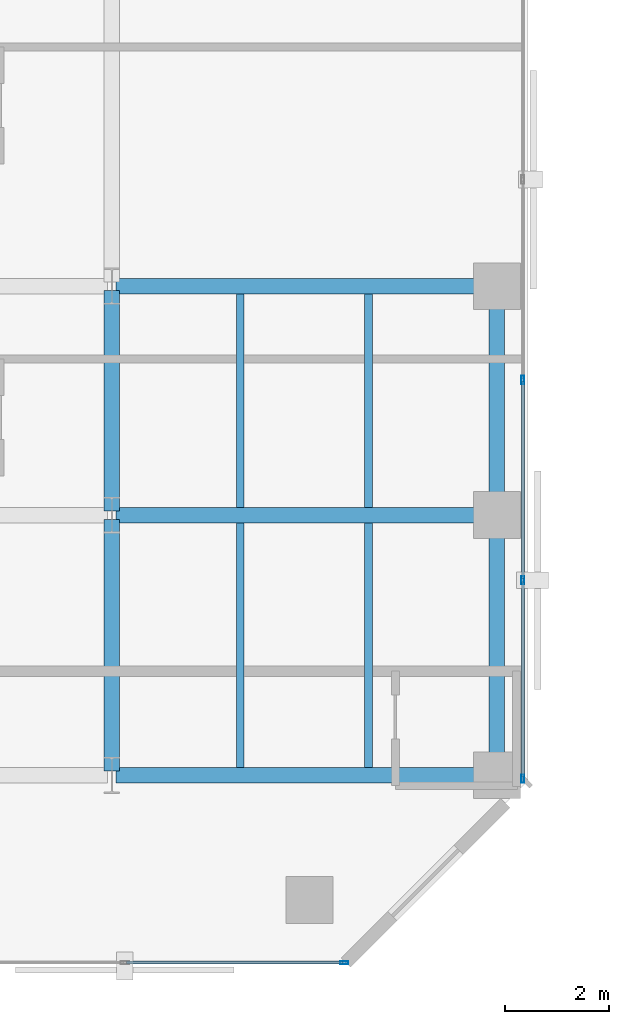
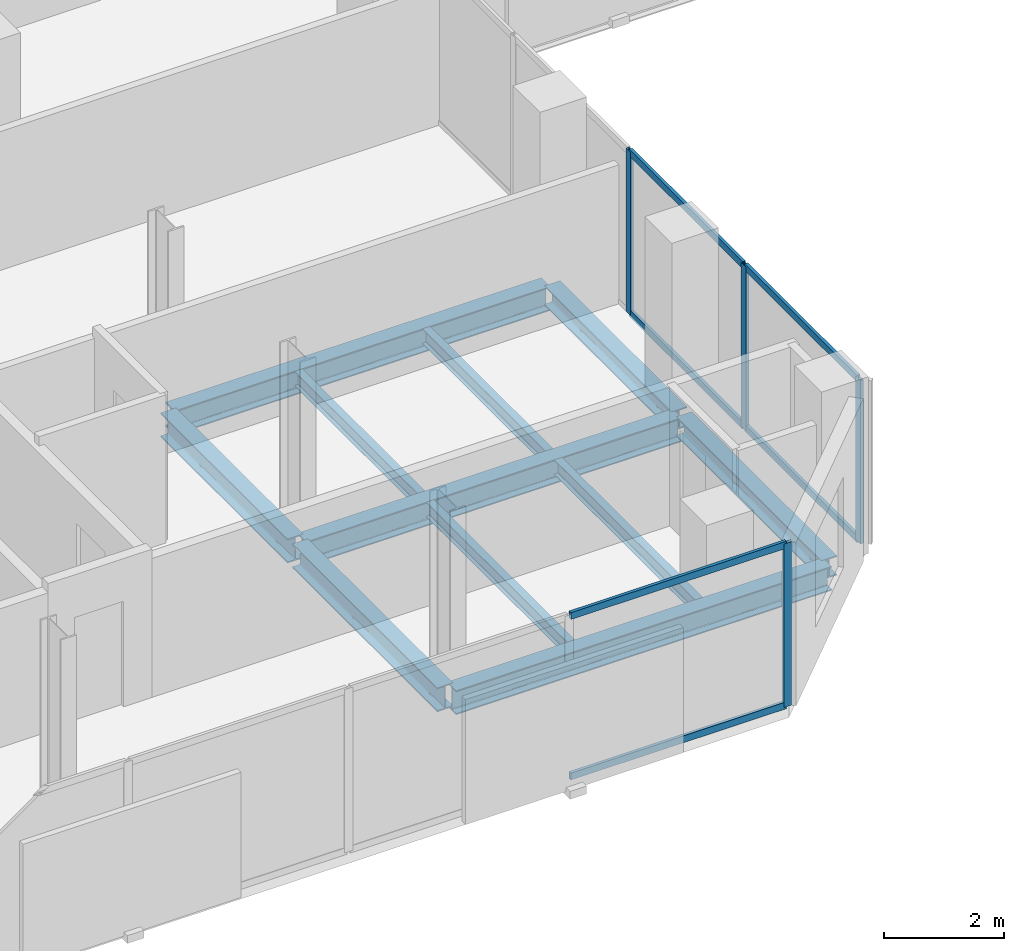
# One storey, part 7 of 34: 11 beams, 10 members, 2 elements without a shape of their own.
"""IFC4 building model written with IfcOpenShell, lengths in metres."""

from ifc_helpers import new_model, si_unit, direction, frame, origin, origin_2d, place, context, subcontext, project, spatial, hollow_rectangle, i_section, extrude, material, layer, layer_set, material_profile, profile_set, type_object, element, aggregate, save


model = new_model("IFC4")

# Units and contexts
model_context = context("Model", 3, precision=1e-05, world=origin(), true_north=direction((0.0, 1.0)))
body_context = subcontext(model_context, "Body", "Model", "MODEL_VIEW")
ifc_project = project(units=[si_unit("LENGTHUNIT", "METRE"), si_unit("AREAUNIT", "SQUARE_METRE"), si_unit("VOLUMEUNIT", "CUBIC_METRE"), si_unit("PLANEANGLEUNIT", "RADIAN"), si_unit("MASSUNIT", "GRAM", prefix="KILO")], contexts=[model_context])

# Site, building, storey
site_placement = place(None, origin())
site = spatial("IfcSite", under=ifc_project, at=site_placement, CompositionType="ELEMENT")
building_placement = place(site_placement, origin())
building = spatial("IfcBuilding", under=site, at=building_placement, Name="Catumbela Crestline Tower", CompositionType="ELEMENT")
storey_placement = place(building_placement, frame((0.0, 0.0, 93.6)))
storey = spatial("IfcBuildingStorey", under=building, at=storey_placement, Name="L23", CompositionType="ELEMENT", Elevation=93.6)

# Beams
ifc_material_1 = material(Name="Structural steel S355J2", Category="steel")
ifc_material_profile_1 = material_profile(ifc_material_1, i_section(OverallWidth=0.3, OverallDepth=0.49, WebThickness=0.012, FlangeThickness=0.023, FilletRadius=0.027, at=origin_2d()), Name="HEA 500")
ifc_profile_set_1 = profile_set([ifc_material_profile_1], Name="Structural steel S355J2")
beam_type_1 = type_object("IfcBeamType", Name="BG-HEA500", PredefinedType="BEAM", material=ifc_profile_set_1)
for number, where, z_axis, x_axis, name in (
    (1, (16.08, 8.6, -0.505), (1.0, 0.0, 0.0), (0.0, 1.0, 0.0), "L23 Beam BM-L23-WEW45"),
    (2, (16.08, 13.6, -0.505), (1.0, 0.0, 0.0), (0.0, 1.0, 0.0), "L23 Beam BM-L23-WEW48"),
    (3, (16.08, 18.0, -0.505), (1.0, 0.0, 0.0), (0.0, 1.0, 0.0), "L23 Beam BM-L23-WEW51"),
):
    element("IfcBeam", number, at=place(storey_placement, frame(where, z_axis=z_axis, x_axis=x_axis)), inside=storey, type_object=beam_type_1, Name=name, PredefinedType="BEAM", context=body_context, shape_type="SweptSolid", body=[
        extrude(i_section(OverallWidth=0.3, OverallDepth=0.49, WebThickness=0.012, FlangeThickness=0.023, FilletRadius=0.027, at=origin_2d()), origin(), (0.0, 0.0, 1.0), 7.24),
    ])
beam_1_placement = place(storey_placement, frame((16.0, 8.68, -0.505), z_axis=(0.0, 1.0, 0.0), x_axis=(-1.0, 0.0, 0.0)))
element("IfcBeam", 4, at=beam_1_placement, inside=storey, type_object=beam_type_1, Name="L23 Beam BM-L23-WNS58", PredefinedType="BEAM", context=body_context, shape_type="SweptSolid", body=[
    extrude(i_section(OverallWidth=0.3, OverallDepth=0.49, WebThickness=0.012, FlangeThickness=0.023, FilletRadius=0.027, at=origin_2d()), origin(), (0.0, 0.0, 1.0), 4.84),
])
beam_2_placement = place(storey_placement, frame((16.0, 13.68, -0.505), z_axis=(0.0, 1.0, 0.0), x_axis=(-1.0, 0.0, 0.0)))
element("IfcBeam", 5, at=beam_2_placement, inside=storey, type_object=beam_type_1, Name="L23 Beam BM-L23-WNS59", PredefinedType="BEAM", context=body_context, shape_type="SweptSolid", body=[
    extrude(i_section(OverallWidth=0.3, OverallDepth=0.49, WebThickness=0.012, FlangeThickness=0.023, FilletRadius=0.027, at=origin_2d()), origin(), (0.0, 0.0, 1.0), 4.24),
])
ifc_material_profile_2 = material_profile(ifc_material_1, i_section(OverallWidth=0.15, OverallDepth=0.3, WebThickness=0.0071, FlangeThickness=0.0107, FilletRadius=0.015, at=origin_2d()), Name="IPE 300")
ifc_profile_set_2 = profile_set([ifc_material_profile_2], Name="Structural steel S355J2")
beam_type_2 = type_object("IfcBeamType", Name="BJ-IPE300", PredefinedType="JOIST", material=ifc_profile_set_2)
for number, where, z_axis, x_axis, name in (
    (6, (18.467, 8.747, -0.41), (0.0, 1.0, 0.0), (-1.0, 0.0, 0.0), "L23 Joist JS-L23-WG67"),
    (7, (20.933, 8.747, -0.41), (0.0, 1.0, 0.0), (-1.0, 0.0, 0.0), "L23 Joist JS-L23-WG68"),
):
    element("IfcBeam", number, at=place(storey_placement, frame(where, z_axis=z_axis, x_axis=x_axis)), inside=storey, type_object=beam_type_2, Name=name, PredefinedType="JOIST", context=body_context, shape_type="SweptSolid", body=[
        extrude(i_section(OverallWidth=0.15, OverallDepth=0.3, WebThickness=0.0071, FlangeThickness=0.0107, FilletRadius=0.015, at=origin_2d()), origin(), (0.0, 0.0, 1.0), 4.706),
    ])
for number, where, z_axis, x_axis, name in (
    (8, (18.467, 13.747, -0.41), (0.0, 1.0, 0.0), (-1.0, 0.0, 0.0), "L23 Joist JS-L23-WG73"),
    (9, (20.933, 13.747, -0.41), (0.0, 1.0, 0.0), (-1.0, 0.0, 0.0), "L23 Joist JS-L23-WG74"),
):
    element("IfcBeam", number, at=place(storey_placement, frame(where, z_axis=z_axis, x_axis=x_axis)), inside=storey, type_object=beam_type_2, Name=name, PredefinedType="JOIST", context=body_context, shape_type="SweptSolid", body=[
        extrude(i_section(OverallWidth=0.15, OverallDepth=0.3, WebThickness=0.0071, FlangeThickness=0.0107, FilletRadius=0.015, at=origin_2d()), origin(), (0.0, 0.0, 1.0), 4.106),
    ])

# Curtain wall, member
ifc_material_2 = material(Name="Aluminium alloy AW-6060-T66", Category="aluminium")
ifc_layer = layer(ifc_material_2, 0.18, Name="Aluminium alloy AW-6060-T66")
ifc_layer_set = layer_set([ifc_layer], Name="Aluminium alloy AW-6060-T66")
curtain_wall_type = type_object("IfcCurtainWallType", Name="CWU-Z2", PredefinedType="USERDEFINED", material=ifc_layer_set)
curtain_wall_1_placement = place(storey_placement, origin())
curtain_wall_1 = element("IfcCurtainWall", 10, at=curtain_wall_1_placement, inside=storey, type_object=curtain_wall_type, Name="L23 Unitised Curtain Wall CW-L23-E0S1", ObjectType="UNITISED", PredefinedType="USERDEFINED")
ifc_material_profile_3 = material_profile(ifc_material_2, hollow_rectangle(XDim=0.06, YDim=0.16, WallThickness=0.004, at=origin_2d()), Name="ALU 160x60x4")
ifc_profile_set_3 = profile_set([ifc_material_profile_3], Name="Aluminium alloy AW-6060-T66")
member_type_1 = type_object("IfcMemberType", Name="MUL-160X60", PredefinedType="MULLION", material=ifc_profile_set_3)
member_1_placement = place(storey_placement, frame((20.4675, 5.0, 0.0), z_axis=(0.0, 0.0, 1.0), x_axis=(0.0, 1.0, 0.0)))
member_1 = element("IfcMember", 11, at=member_1_placement, type_object=member_type_1, Name="CWU-Z2 mullion 5", PredefinedType="MULLION", context=body_context, shape_type="SweptSolid", body=[
    extrude(hollow_rectangle(XDim=0.06, YDim=0.16, WallThickness=0.004, at=origin_2d()), origin(), (0.0, 0.0, 1.0), 3.33),
])

# Curtain wall, members
curtain_wall_2_placement = place(storey_placement, origin())
curtain_wall_2 = element("IfcCurtainWall", 12, at=curtain_wall_2_placement, inside=storey, type_object=curtain_wall_type, Name="L23 Unitised Curtain Wall CW-L23-E2S1", ObjectType="UNITISED", PredefinedType="USERDEFINED")
member_2_placement = place(storey_placement, frame((23.9, 8.5325, 0.0), z_axis=(0.0, 0.0, 1.0), x_axis=(-1.0, 0.0, 0.0)))
member_2 = element("IfcMember", 13, at=member_2_placement, type_object=member_type_1, Name="CWU-Z2 mullion 1", PredefinedType="MULLION", context=body_context, shape_type="SweptSolid", body=[
    extrude(hollow_rectangle(XDim=0.06, YDim=0.16, WallThickness=0.004, at=origin_2d()), origin(), (0.0, 0.0, 1.0), 3.33),
])
member_3_placement = place(storey_placement, frame((23.9, 12.35, 0.0), z_axis=(0.0, 0.0, 1.0), x_axis=(-1.0, 0.0, 0.0)))
member_3 = element("IfcMember", 14, at=member_3_placement, type_object=member_type_1, Name="CWU-Z2 mullion 2", PredefinedType="MULLION", context=body_context, shape_type="SweptSolid", body=[
    extrude(hollow_rectangle(XDim=0.06, YDim=0.16, WallThickness=0.004, at=origin_2d()), origin(), (0.0, 0.0, 1.0), 3.33),
])
member_4_placement = place(storey_placement, frame((23.9, 16.2, 0.0), z_axis=(0.0, 0.0, 1.0), x_axis=(-1.0, 0.0, 0.0)))
member_4 = element("IfcMember", 15, at=member_4_placement, type_object=member_type_1, Name="CWU-Z2 mullion 3", PredefinedType="MULLION", context=body_context, shape_type="SweptSolid", body=[
    extrude(hollow_rectangle(XDim=0.06, YDim=0.16, WallThickness=0.004, at=origin_2d()), origin(), (0.0, 0.0, 1.0), 3.33),
])

# Beams
ifc_material_profile_4 = material_profile(ifc_material_1, i_section(OverallWidth=0.3, OverallDepth=0.4, WebThickness=0.0135, FlangeThickness=0.024, FilletRadius=0.027, at=origin_2d()), Name="HEB 400")
ifc_profile_set_4 = profile_set([ifc_material_profile_4], Name="Structural steel S355J2")
beam_type_3 = type_object("IfcBeamType", Name="BS-HEB400", PredefinedType="SPANDREL", material=ifc_profile_set_4)
beam_3_placement = place(storey_placement, frame((23.4, 8.68, -0.46), z_axis=(0.0, 1.0, 0.0), x_axis=(-1.0, 0.0, 0.0)))
element("IfcBeam", 16, at=beam_3_placement, inside=storey, type_object=beam_type_3, Name="L23 Spandrel SP-L23-WNS61", PredefinedType="SPANDREL", context=body_context, shape_type="SweptSolid", body=[
    extrude(i_section(OverallWidth=0.3, OverallDepth=0.4, WebThickness=0.0135, FlangeThickness=0.024, FilletRadius=0.027, at=origin_2d()), origin(), (0.0, 0.0, 1.0), 4.84),
])
beam_4_placement = place(storey_placement, frame((23.4, 13.68, -0.46), z_axis=(0.0, 1.0, 0.0), x_axis=(-1.0, 0.0, 0.0)))
element("IfcBeam", 17, at=beam_4_placement, inside=storey, type_object=beam_type_3, Name="L23 Spandrel SP-L23-WNS62", PredefinedType="SPANDREL", context=body_context, shape_type="SweptSolid", body=[
    extrude(i_section(OverallWidth=0.3, OverallDepth=0.4, WebThickness=0.0135, FlangeThickness=0.024, FilletRadius=0.027, at=origin_2d()), origin(), (0.0, 0.0, 1.0), 4.24),
])

# Member
ifc_material_profile_5 = material_profile(ifc_material_2, hollow_rectangle(XDim=0.06, YDim=0.14, WallThickness=0.004, at=origin_2d()), Name="ALU 140x60x4")
ifc_profile_set_5 = profile_set([ifc_material_profile_5], Name="Aluminium alloy AW-6060-T66")
member_type_2 = type_object("IfcMemberType", Name="TRN-140X60", PredefinedType="USERDEFINED", material=ifc_profile_set_5)
member_5_placement = place(storey_placement, frame((16.2825, 5.0, 0.03), z_axis=(1.0, 0.0, 0.0), x_axis=(0.0, 1.0, 0.0)))
member_5 = element("IfcMember", 18, at=member_5_placement, type_object=member_type_2, Name="CWU-Z2 transom 4.1", ObjectType="TRANSOM", PredefinedType="USERDEFINED", context=body_context, shape_type="SweptSolid", body=[
    extrude(hollow_rectangle(XDim=0.06, YDim=0.14, WallThickness=0.004, at=origin_2d()), origin(), (0.0, 0.0, 1.0), 4.1525),
])

member_6_placement = place(storey_placement, frame((16.2825, 5.0, 3.3), z_axis=(1.0, 0.0, 0.0), x_axis=(0.0, 1.0, 0.0)))
member_6 = element("IfcMember", 19, at=member_6_placement, type_object=member_type_2, Name="CWU-Z2 transom 4.2", ObjectType="TRANSOM", PredefinedType="USERDEFINED", context=body_context, shape_type="SweptSolid", body=[
    extrude(hollow_rectangle(XDim=0.06, YDim=0.14, WallThickness=0.004, at=origin_2d()), origin(), (0.0, 0.0, 1.0), 4.1525),
])

aggregate(curtain_wall_1, [member_1, member_5, member_6])

member_7_placement = place(storey_placement, frame((23.9, 8.565, 0.03), z_axis=(0.0, 1.0, 0.0), x_axis=(-1.0, 0.0, 0.0)))
member_7 = element("IfcMember", 20, at=member_7_placement, type_object=member_type_2, Name="CWU-Z2 transom 1.1", ObjectType="TRANSOM", PredefinedType="USERDEFINED", context=body_context, shape_type="SweptSolid", body=[
    extrude(hollow_rectangle(XDim=0.06, YDim=0.14, WallThickness=0.004, at=origin_2d()), origin(), (0.0, 0.0, 1.0), 3.7525),
])

member_8_placement = place(storey_placement, frame((23.9, 8.565, 3.3), z_axis=(0.0, 1.0, 0.0), x_axis=(-1.0, 0.0, 0.0)))
member_8 = element("IfcMember", 21, at=member_8_placement, type_object=member_type_2, Name="CWU-Z2 transom 1.2", ObjectType="TRANSOM", PredefinedType="USERDEFINED", context=body_context, shape_type="SweptSolid", body=[
    extrude(hollow_rectangle(XDim=0.06, YDim=0.14, WallThickness=0.004, at=origin_2d()), origin(), (0.0, 0.0, 1.0), 3.7525),
])

member_9_placement = place(storey_placement, frame((23.9, 12.3825, 0.03), z_axis=(0.0, 1.0, 0.0), x_axis=(-1.0, 0.0, 0.0)))
member_9 = element("IfcMember", 22, at=member_9_placement, type_object=member_type_2, Name="CWU-Z2 transom 2.1", ObjectType="TRANSOM", PredefinedType="USERDEFINED", context=body_context, shape_type="SweptSolid", body=[
    extrude(hollow_rectangle(XDim=0.06, YDim=0.14, WallThickness=0.004, at=origin_2d()), origin(), (0.0, 0.0, 1.0), 3.785),
])

member_10_placement = place(storey_placement, frame((23.9, 12.3825, 3.3), z_axis=(0.0, 1.0, 0.0), x_axis=(-1.0, 0.0, 0.0)))
member_10 = element("IfcMember", 23, at=member_10_placement, type_object=member_type_2, Name="CWU-Z2 transom 2.2", ObjectType="TRANSOM", PredefinedType="USERDEFINED", context=body_context, shape_type="SweptSolid", body=[
    extrude(hollow_rectangle(XDim=0.06, YDim=0.14, WallThickness=0.004, at=origin_2d()), origin(), (0.0, 0.0, 1.0), 3.785),
])

aggregate(curtain_wall_2, [member_2, member_3, member_4, member_7, member_8, member_9, member_10])

save(model, "model.ifc")
